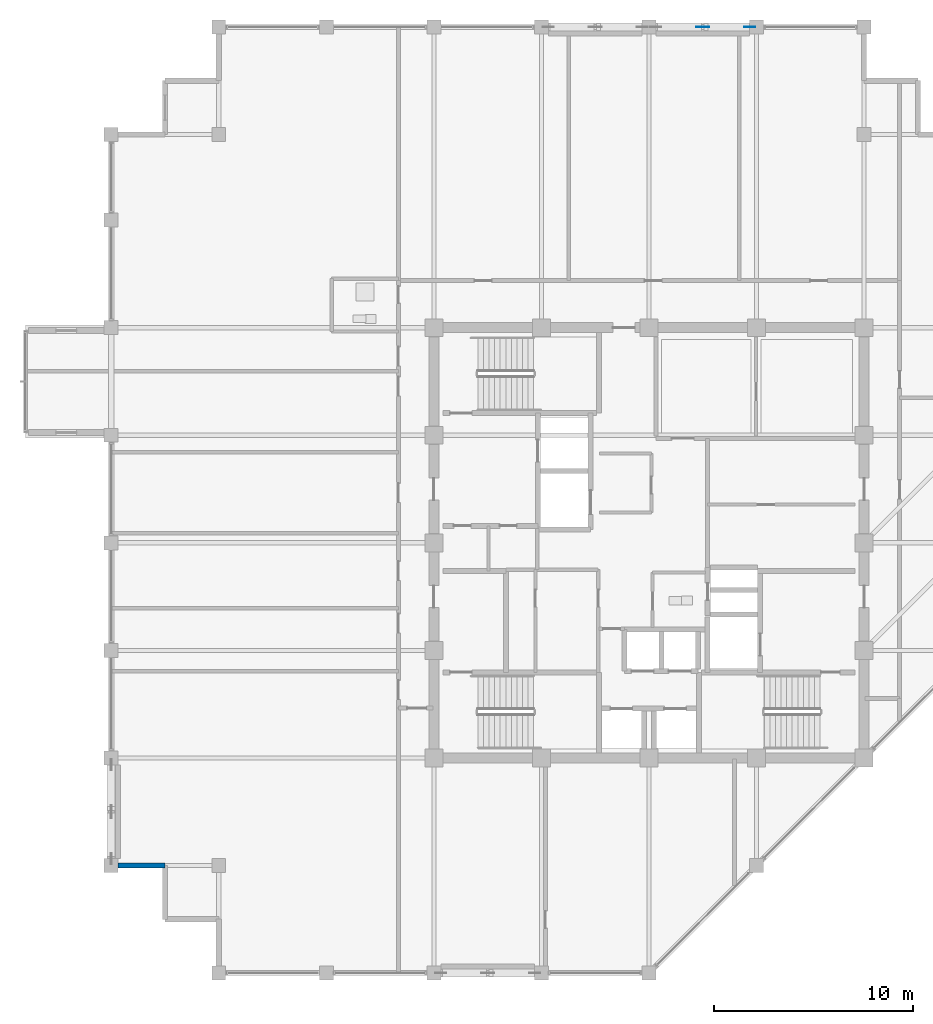
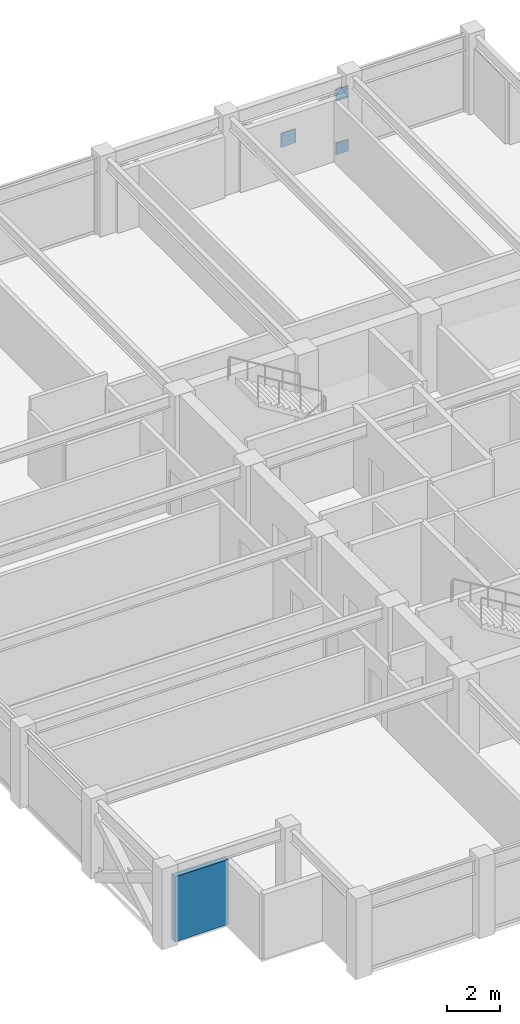
# One storey, part 24 of 31: 3 plates, 1 wall.
"""IFC4 building model written with IfcOpenShell, lengths in metres."""

from ifc_helpers import new_model, si_unit, direction, frame, frame_2d, origin, origin_2d, place, context, subcontext, project, spatial, rectangle, extrude, material, layer, layer_set, type_object, element, save


model = new_model("IFC4")

# Units and contexts
model_context = context("Model", 3, precision=1e-05, world=origin(), true_north=direction((0.0, 1.0)))
body_context = subcontext(model_context, "Body", "Model", "MODEL_VIEW")
ifc_project = project(units=[si_unit("LENGTHUNIT", "METRE"), si_unit("AREAUNIT", "SQUARE_METRE"), si_unit("VOLUMEUNIT", "CUBIC_METRE"), si_unit("PLANEANGLEUNIT", "RADIAN"), si_unit("MASSUNIT", "GRAM", prefix="KILO")], contexts=[model_context])

# Site, building, storey
site_placement = place(None, origin())
site = spatial("IfcSite", under=ifc_project, at=site_placement, CompositionType="ELEMENT")
building_placement = place(site_placement, origin())
building = spatial("IfcBuilding", under=site, at=building_placement, Name="Surkhivell Harbour Commons", CompositionType="ELEMENT")
storey_placement = place(building_placement, frame((0.0, 0.0, 266.25)))
storey = spatial("IfcBuildingStorey", under=building, at=storey_placement, Name="L69", CompositionType="ELEMENT", Elevation=266.25)

# Plates
ifc_material_1 = material(Name="Steel S460", Category="steel")
ifc_layer_1 = layer(ifc_material_1, 0.035888671875)
ifc_layer_set_1 = layer_set([ifc_layer_1], Name="Steel S460")
plate_type_1 = type_object("IfcPlateType", Name="PLT-GUS-550", PredefinedType="USERDEFINED", material=ifc_layer_set_1)
for number, where, z_axis, x_axis, name in (
    (1, (5.06494140625, 25.89990234375, -0.07470703125), (0.0, 0.0, 1.0), (1.0, 0.0, 0.0), "L69 Perimeter Mega-Brace MB- Corner Gusset N2-2"),
    (2, (5.06494140625, 25.89990234375, 2.41357421875), (0.0, 0.0, 1.0), (1.0, 0.0, 0.0), "L69 Perimeter Mega-Brace MB- Corner Gusset N2-4"),
):
    element("IfcPlate", number, at=place(storey_placement, frame(where, z_axis=z_axis, x_axis=x_axis)), inside=storey, type_object=plate_type_1, Name=name, ObjectType="GUSSET_PLATE", PredefinedType="USERDEFINED", context=body_context, shape_type="SweptSolid", body=[
        extrude(rectangle(XDim=0.550048828125, YDim=0.035888671875, at=origin_2d()), origin(), (0.0, 0.0, 1.0), 0.550048828125),
    ])
ifc_layer_2 = layer(ifc_material_1, 0.044921875)
ifc_layer_set_2 = layer_set([ifc_layer_2], Name="Steel S460")
plate_type_2 = type_object("IfcPlateType", Name="PLT-GUS-650", PredefinedType="USERDEFINED", material=ifc_layer_set_2)
plate_placement = place(storey_placement, frame((2.699951171875, 25.89990234375, 1.11962890625), z_axis=(0.0, 0.0, 1.0), x_axis=(1.0, 0.0, 0.0)))
element("IfcPlate", 3, at=plate_placement, inside=storey, type_object=plate_type_2, Name="L69 Perimeter Mega-Brace MB- Central Crossing Gusset N2", ObjectType="GUSSET_PLATE", PredefinedType="USERDEFINED", context=body_context, shape_type="SweptSolid", body=[
    extrude(rectangle(XDim=0.64990234375, YDim=0.044921875, at=origin_2d()), origin(), (0.0, 0.0, 1.0), 0.64990234375),
])

# Wall
ifc_material_2 = material(Name="Pale-metal insulated precast concrete C45/55", Category="concrete")
ifc_layer_3 = layer(ifc_material_2, 0.260009765625)
ifc_layer_set_3 = layer_set([ifc_layer_3], Name="Pale-metal insulated precast concrete C45/55")
wall_type = type_object("IfcWallType", Name="WAL-EXT-MTL260", PredefinedType="STANDARD", material=ifc_layer_set_3)
wall_placement = place(storey_placement, frame((-26.652099609375, -16.199951171875, 0.0), z_axis=(0.0, 0.0, 1.0), x_axis=(1.0, 0.0, 0.0)))
element("IfcWall", 4, at=wall_placement, inside=storey, type_object=wall_type, Name="L69 Serrated Corner Facade Wall 13", PredefinedType="STANDARD", context=body_context, shape_type="SweptSolid", body=[
    extrude(rectangle(XDim=2.35205078125, YDim=0.260009765625, at=frame_2d((1.176025390625, 0.0))), origin(), (0.0, 0.0, 1.0), 3.012939453125),
])

save(model, "model.ifc")
